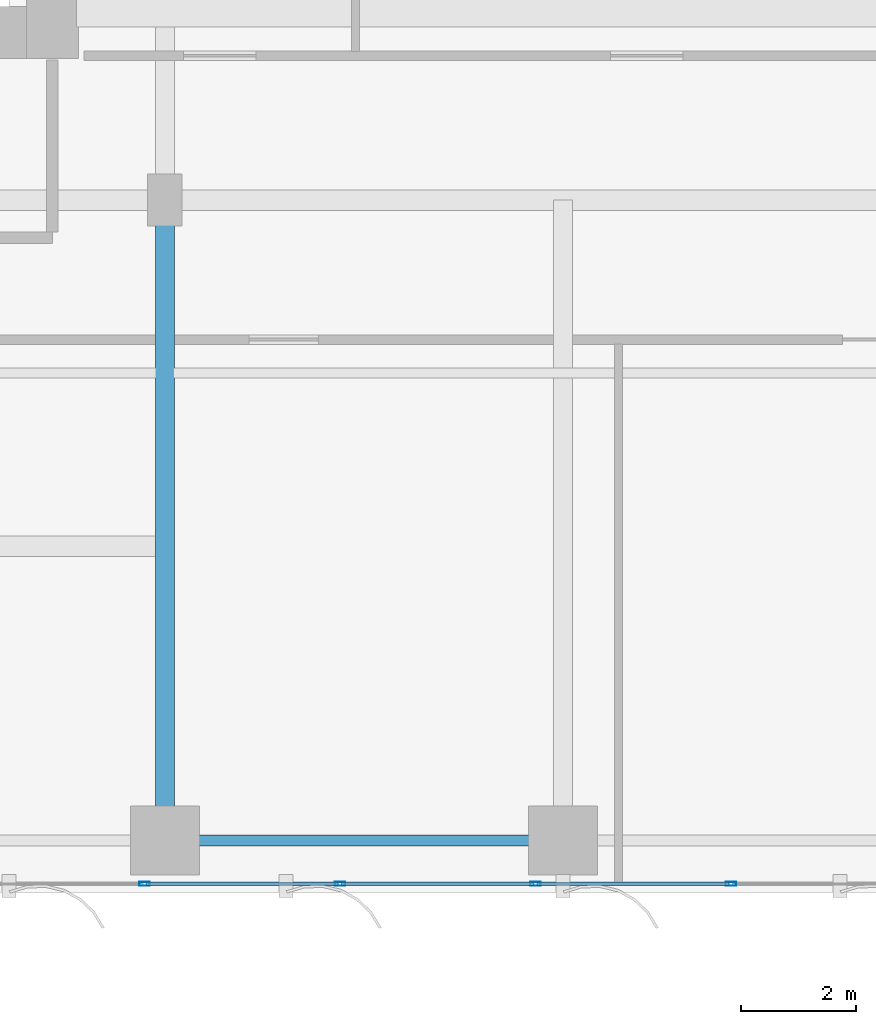
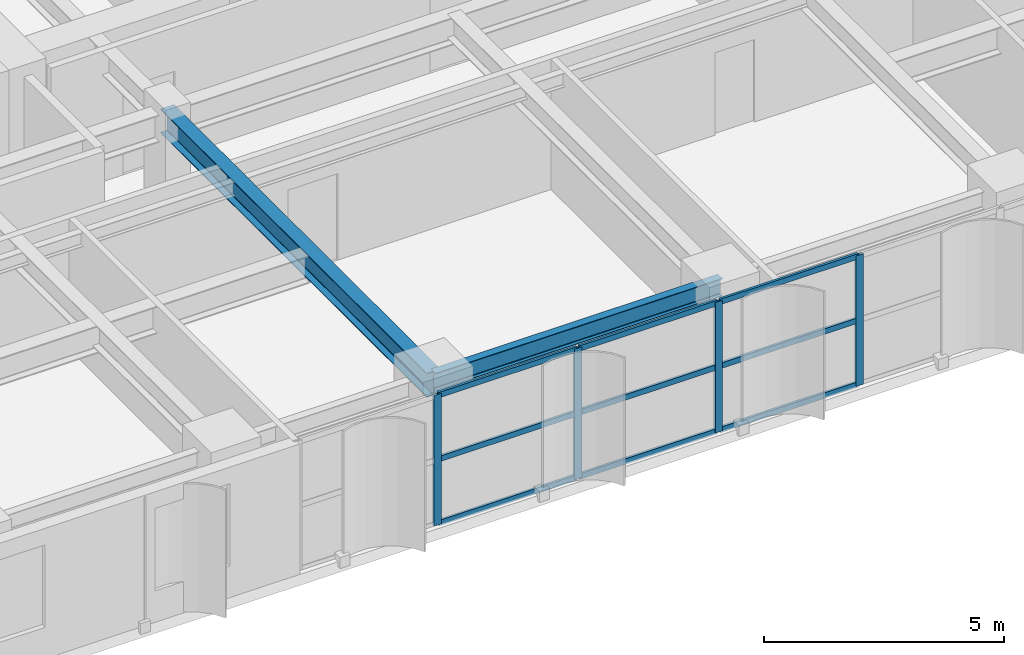
# One storey, part 4 of 25: 13 members, 2 beams, 1 element without a shape of its own.
"""IFC4 building model written with IfcOpenShell, lengths in metres."""

from ifc_helpers import new_model, si_unit, direction, frame, origin, origin_2d, place, context, subcontext, project, spatial, hollow_rectangle, i_section, extrude, source, transform, mapped, material, layer, layer_set, material_profile, profile_set, type_object, element, aggregate, save


model = new_model("IFC4")

# Units and contexts
model_context = context("Model", 3, precision=1e-05, world=origin(), true_north=direction((0.0, 1.0)))
body_context = subcontext(model_context, "Body", "Model", "MODEL_VIEW")
ifc_project = project(units=[si_unit("LENGTHUNIT", "METRE"), si_unit("AREAUNIT", "SQUARE_METRE"), si_unit("VOLUMEUNIT", "CUBIC_METRE"), si_unit("PLANEANGLEUNIT", "RADIAN"), si_unit("MASSUNIT", "GRAM", prefix="KILO")], contexts=[model_context])

# Site, building, storey
site_placement = place(None, origin())
site = spatial("IfcSite", under=ifc_project, at=site_placement, CompositionType="ELEMENT")
building_placement = place(site_placement, origin())
building = spatial("IfcBuilding", under=site, at=building_placement, Name="Khoralis Quay Care Tower", CompositionType="ELEMENT")
storey_placement = place(building_placement, frame((0.0, 0.0, 51.300048828125)))
storey = spatial("IfcBuildingStorey", under=building, at=storey_placement, Name="L13", CompositionType="ELEMENT", Elevation=51.300048828125)

# Beams
ifc_material_1 = material(Name="Steel S355", Category="steel")
ifc_material_profile_1 = material_profile(ifc_material_1, i_section(OverallWidth=0.18994140625, OverallDepth=0.449951171875, WebThickness=0.009521484375, FlangeThickness=0.0146484375, FilletRadius=0.02099609375, at=origin_2d()), Name="Steel S355")
ifc_profile_set_1 = profile_set([ifc_material_profile_1], Name="Steel S355")
beam_type_1 = type_object("IfcBeamType", Name="BM-IPE450", PredefinedType="SPANDREL", material=ifc_profile_set_1)
shared_shape_1 = source(origin(), body_context, "Body", "SweptSolid", [
    extrude(i_section(OverallWidth=0.18994140625, OverallDepth=0.449951171875, WebThickness=0.009521484375, FlangeThickness=0.0146484375, FilletRadius=0.02099609375, at=origin_2d()), origin(), (0.0, 0.0, 1.0), 6.89990234375),
])
beam_1_placement = place(storey_placement, frame((17.10009765625, 0.89990234375, 3.094970703125), z_axis=(1.0, 0.0, 0.0), x_axis=(0.0, 1.0, 0.0)))
element("IfcBeam", 1, at=beam_1_placement, inside=storey, type_object=beam_type_1, Name="BM-TSP-L13-03", PredefinedType="SPANDREL", context=body_context, shape_type="MappedRepresentation", body=[
    mapped(shared_shape_1, transform((0.0, 0.0, 0.0), scale=1.0)),
])
ifc_material_profile_2 = material_profile(ifc_material_1, i_section(OverallWidth=0.324951171875, OverallDepth=0.615966796875, WebThickness=0.013916015625, FlangeThickness=0.021484375, FilletRadius=0.01806640625, at=origin_2d()), Name="Steel S355")
ifc_profile_set_2 = profile_set([ifc_material_profile_2], Name="Steel S355")
beam_type_2 = type_object("IfcBeamType", Name="BM-W610X174", PredefinedType="BEAM", material=ifc_profile_set_2)
shared_shape_2 = source(origin(), body_context, "Body", "SweptSolid", [
    extrude(i_section(OverallWidth=0.324951171875, OverallDepth=0.615966796875, WebThickness=0.013916015625, FlangeThickness=0.021484375, FilletRadius=0.01806640625, at=origin_2d()), origin(), (0.0, 0.0, 1.0), 11.10009765625),
])
beam_2_placement = place(storey_placement, frame((17.10009765625, 0.89990234375, 3.011962890625), z_axis=(0.0, 1.0, 0.0), x_axis=(-1.0, 0.0, 0.0)))
element("IfcBeam", 2, at=beam_2_placement, inside=storey, type_object=beam_type_2, Name="BM-TGYS-L13-171", PredefinedType="BEAM", context=body_context, shape_type="MappedRepresentation", body=[
    mapped(shared_shape_2, transform((0.0, 0.0, 0.0), scale=1.0)),
])

# Curtain wall, members
ifc_material_2 = material(Name="Pale anodised aluminium", Category="aluminium")
ifc_layer = layer(ifc_material_2, 0.179931640625)
ifc_layer_set = layer_set([ifc_layer], Name="Pale anodised aluminium")
curtain_wall_type = type_object("IfcCurtainWallType", Name="CW-SYS-Z1", PredefinedType="NOTDEFINED", material=ifc_layer_set)
curtain_wall_placement = place(storey_placement, origin())
curtain_wall = element("IfcCurtainWall", 3, at=curtain_wall_placement, inside=storey, type_object=curtain_wall_type, Name="L13 Unitised Curtain Wall CW-L13-P1-E0", PredefinedType="NOTDEFINED")
ifc_material_profile_3 = material_profile(ifc_material_2, hollow_rectangle(XDim=0.06494140625, YDim=0.179931640625, WallThickness=0.00390625, at=origin_2d()), Name="Pale anodised aluminium")
ifc_profile_set_3 = profile_set([ifc_material_profile_3], Name="Pale anodised aluminium")
member_type_1 = type_object("IfcMemberType", Name="CW-MUL-180", PredefinedType="MULLION", material=ifc_profile_set_3)
shared_shape_3 = source(origin(), body_context, "Body", "SweptSolid", [
    extrude(hollow_rectangle(XDim=0.06494140625, YDim=0.179931640625, WallThickness=0.00390625, at=origin_2d()), origin(), (0.0, 0.0, 1.0), 3.320068359375),
])
member_1_placement = place(storey_placement, frame((16.74658203125, 0.14990234375, 0.0), z_axis=(0.0, 0.0, 1.0), x_axis=(0.0, 1.0, 0.0)))
member_1 = element("IfcMember", 4, at=member_1_placement, type_object=member_type_1, Name="CW1 mullion 2", PredefinedType="MULLION", context=body_context, shape_type="MappedRepresentation", body=[
    mapped(shared_shape_3, transform((0.0, 0.0, 0.0), scale=1.0)),
])
member_2_placement = place(storey_placement, frame((20.13330078125, 0.14990234375, 0.0), z_axis=(0.0, 0.0, 1.0), x_axis=(0.0, 1.0, 0.0)))
member_2 = element("IfcMember", 5, at=member_2_placement, type_object=member_type_1, Name="CW1 mullion 3", PredefinedType="MULLION", context=body_context, shape_type="MappedRepresentation", body=[
    mapped(shared_shape_3, transform((0.0, 0.0, 0.0), scale=1.0)),
])
member_3_placement = place(storey_placement, frame((23.52001953125, 0.14990234375, 0.0), z_axis=(0.0, 0.0, 1.0), x_axis=(0.0, 1.0, 0.0)))
member_3 = element("IfcMember", 6, at=member_3_placement, type_object=member_type_1, Name="CW1 mullion 4", PredefinedType="MULLION", context=body_context, shape_type="MappedRepresentation", body=[
    mapped(shared_shape_3, transform((0.0, 0.0, 0.0), scale=1.0)),
])
member_4_placement = place(storey_placement, frame((26.90673828125, 0.14990234375, 0.0), z_axis=(0.0, 0.0, 1.0), x_axis=(0.0, 1.0, 0.0)))
member_4 = element("IfcMember", 7, at=member_4_placement, type_object=member_type_1, Name="CW1 mullion 5", PredefinedType="MULLION", context=body_context, shape_type="MappedRepresentation", body=[
    mapped(shared_shape_3, transform((0.0, 0.0, 0.0), scale=1.0)),
])
ifc_material_profile_4 = material_profile(ifc_material_2, hollow_rectangle(XDim=0.06005859375, YDim=0.139892578125, WallThickness=0.00390625, at=origin_2d()), Name="Pale anodised aluminium")
ifc_profile_set_4 = profile_set([ifc_material_profile_4], Name="Pale anodised aluminium")
member_type_2 = type_object("IfcMemberType", Name="CW-TRN-140", PredefinedType="USERDEFINED", material=ifc_profile_set_4)
shared_shape_4 = source(origin(), body_context, "Body", "SweptSolid", [
    extrude(hollow_rectangle(XDim=0.06005859375, YDim=0.139892578125, WallThickness=0.00390625, at=origin_2d()), origin(), (0.0, 0.0, 1.0), 3.32666015625),
])
member_5_placement = place(storey_placement, frame((16.776611328125, 0.14990234375, 0.030029296875), z_axis=(1.0, 0.0, 0.0), x_axis=(0.0, 1.0, 0.0)))
member_5 = element("IfcMember", 8, at=member_5_placement, type_object=member_type_2, Name="CW1 transom 2.1", ObjectType="TRANSOM", PredefinedType="USERDEFINED", context=body_context, shape_type="MappedRepresentation", body=[
    mapped(shared_shape_4, transform((0.0, 0.0, 0.0), scale=1.0)),
])
member_6_placement = place(storey_placement, frame((16.776611328125, 0.14990234375, 1.659912109375), z_axis=(1.0, 0.0, 0.0), x_axis=(0.0, 1.0, 0.0)))
member_6 = element("IfcMember", 9, at=member_6_placement, type_object=member_type_2, Name="CW1 transom 2.2", ObjectType="TRANSOM", PredefinedType="USERDEFINED", context=body_context, shape_type="MappedRepresentation", body=[
    mapped(shared_shape_4, transform((0.0, 0.0, 0.0), scale=1.0)),
])
member_7_placement = place(storey_placement, frame((16.776611328125, 0.14990234375, 3.2900390625), z_axis=(1.0, 0.0, 0.0), x_axis=(0.0, 1.0, 0.0)))
member_7 = element("IfcMember", 10, at=member_7_placement, type_object=member_type_2, Name="CW1 transom 2.3", ObjectType="TRANSOM", PredefinedType="USERDEFINED", context=body_context, shape_type="MappedRepresentation", body=[
    mapped(shared_shape_4, transform((0.0, 0.0, 0.0), scale=1.0)),
])
member_8_placement = place(storey_placement, frame((20.163330078125, 0.14990234375, 0.030029296875), z_axis=(1.0, 0.0, 0.0), x_axis=(0.0, 1.0, 0.0)))
member_8 = element("IfcMember", 11, at=member_8_placement, type_object=member_type_2, Name="CW1 transom 3.1", ObjectType="TRANSOM", PredefinedType="USERDEFINED", context=body_context, shape_type="MappedRepresentation", body=[
    mapped(shared_shape_4, transform((0.0, 0.0, 0.0), scale=1.0)),
])
member_9_placement = place(storey_placement, frame((20.163330078125, 0.14990234375, 1.659912109375), z_axis=(1.0, 0.0, 0.0), x_axis=(0.0, 1.0, 0.0)))
member_9 = element("IfcMember", 12, at=member_9_placement, type_object=member_type_2, Name="CW1 transom 3.2", ObjectType="TRANSOM", PredefinedType="USERDEFINED", context=body_context, shape_type="MappedRepresentation", body=[
    mapped(shared_shape_4, transform((0.0, 0.0, 0.0), scale=1.0)),
])
member_10_placement = place(storey_placement, frame((20.163330078125, 0.14990234375, 3.2900390625), z_axis=(1.0, 0.0, 0.0), x_axis=(0.0, 1.0, 0.0)))
member_10 = element("IfcMember", 13, at=member_10_placement, type_object=member_type_2, Name="CW1 transom 3.3", ObjectType="TRANSOM", PredefinedType="USERDEFINED", context=body_context, shape_type="MappedRepresentation", body=[
    mapped(shared_shape_4, transform((0.0, 0.0, 0.0), scale=1.0)),
])
member_11_placement = place(storey_placement, frame((23.550048828125, 0.14990234375, 0.030029296875), z_axis=(1.0, 0.0, 0.0), x_axis=(0.0, 1.0, 0.0)))
member_11 = element("IfcMember", 14, at=member_11_placement, type_object=member_type_2, Name="CW1 transom 4.1", ObjectType="TRANSOM", PredefinedType="USERDEFINED", context=body_context, shape_type="MappedRepresentation", body=[
    mapped(shared_shape_4, transform((0.0, 0.0, 0.0), scale=1.0)),
])
member_12_placement = place(storey_placement, frame((23.550048828125, 0.14990234375, 1.659912109375), z_axis=(1.0, 0.0, 0.0), x_axis=(0.0, 1.0, 0.0)))
member_12 = element("IfcMember", 15, at=member_12_placement, type_object=member_type_2, Name="CW1 transom 4.2", ObjectType="TRANSOM", PredefinedType="USERDEFINED", context=body_context, shape_type="MappedRepresentation", body=[
    mapped(shared_shape_4, transform((0.0, 0.0, 0.0), scale=1.0)),
])
member_13_placement = place(storey_placement, frame((23.550048828125, 0.14990234375, 3.2900390625), z_axis=(1.0, 0.0, 0.0), x_axis=(0.0, 1.0, 0.0)))
member_13 = element("IfcMember", 16, at=member_13_placement, type_object=member_type_2, Name="CW1 transom 4.3", ObjectType="TRANSOM", PredefinedType="USERDEFINED", context=body_context, shape_type="MappedRepresentation", body=[
    mapped(shared_shape_4, transform((0.0, 0.0, 0.0), scale=1.0)),
])
aggregate(curtain_wall, [member_1, member_2, member_3, member_4, member_5, member_6, member_7, member_8, member_9, member_10, member_11, member_12, member_13])

save(model, "model.ifc")
